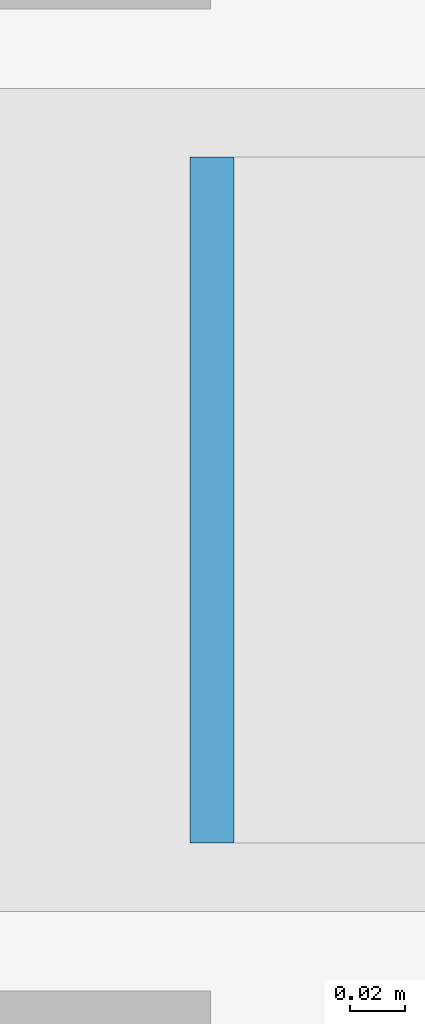
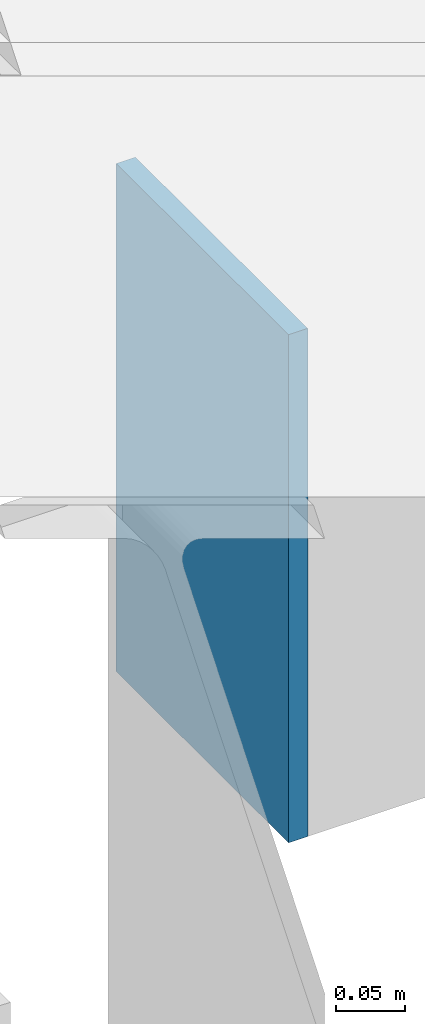
# One storey, part 81 of 110: 1 discrete accessory.
"""IFC4 building model written with IfcOpenShell, lengths in metres."""

from ifc_helpers import new_model, si_unit, direction, frame, origin, origin_2d, place, context, subcontext, project, spatial, rectangle, extrude, material, type_object, element, save


model = new_model("IFC4")

# Units and contexts
model_context = context("Model", 3, precision=1e-05, world=origin(), true_north=direction((0.0, 1.0)))
body_context = subcontext(model_context, "Body", "Model", "MODEL_VIEW")
ifc_project = project(units=[si_unit("LENGTHUNIT", "METRE"), si_unit("AREAUNIT", "SQUARE_METRE"), si_unit("VOLUMEUNIT", "CUBIC_METRE"), si_unit("PLANEANGLEUNIT", "RADIAN"), si_unit("MASSUNIT", "GRAM", prefix="KILO"), si_unit("THERMODYNAMICTEMPERATUREUNIT", "KELVIN")], contexts=[model_context])

# Site, building, storey
site_placement = place(None, origin())
site = spatial("IfcSite", under=ifc_project, at=site_placement, CompositionType="ELEMENT")
building_placement = place(site_placement, origin())
building = spatial("IfcBuilding", under=site, at=building_placement, Name="Lustrewick Department Store", CompositionType="ELEMENT")
storey_placement = place(building_placement, frame((0.0, 0.0, 6.0)))
storey = spatial("IfcBuildingStorey", under=building, at=storey_placement, Name="L02", CompositionType="ELEMENT", Elevation=6.0)

# Discrete accessory
ifc_material = material(Name="Structural steel Q355C", Category="steel")
discrete_accessory_type = type_object("IfcDiscreteAccessoryType", Name="ECP-01", PredefinedType="USERDEFINED", material=ifc_material)
discrete_accessory_placement = place(storey_placement, frame((126.20849609375, 92.39990234375, -0.47998046875), z_axis=(-1.0, 0.0, 0.0), x_axis=(0.0, 1.0, 0.0)))
element("IfcDiscreteAccessory", 1, at=discrete_accessory_placement, inside=storey, type_object=discrete_accessory_type, Name="L02 Welded Hollow-Section End-Cap Plate ECP-01", ObjectType="END_CAP_PLATE", PredefinedType="USERDEFINED", context=body_context, shape_type="SweptSolid", body=[
    extrude(rectangle(XDim=0.25, YDim=0.449951171875, at=origin_2d()), origin(), (0.0, 0.0, 1.0), 0.01611328125),
])

save(model, "model.ifc")
